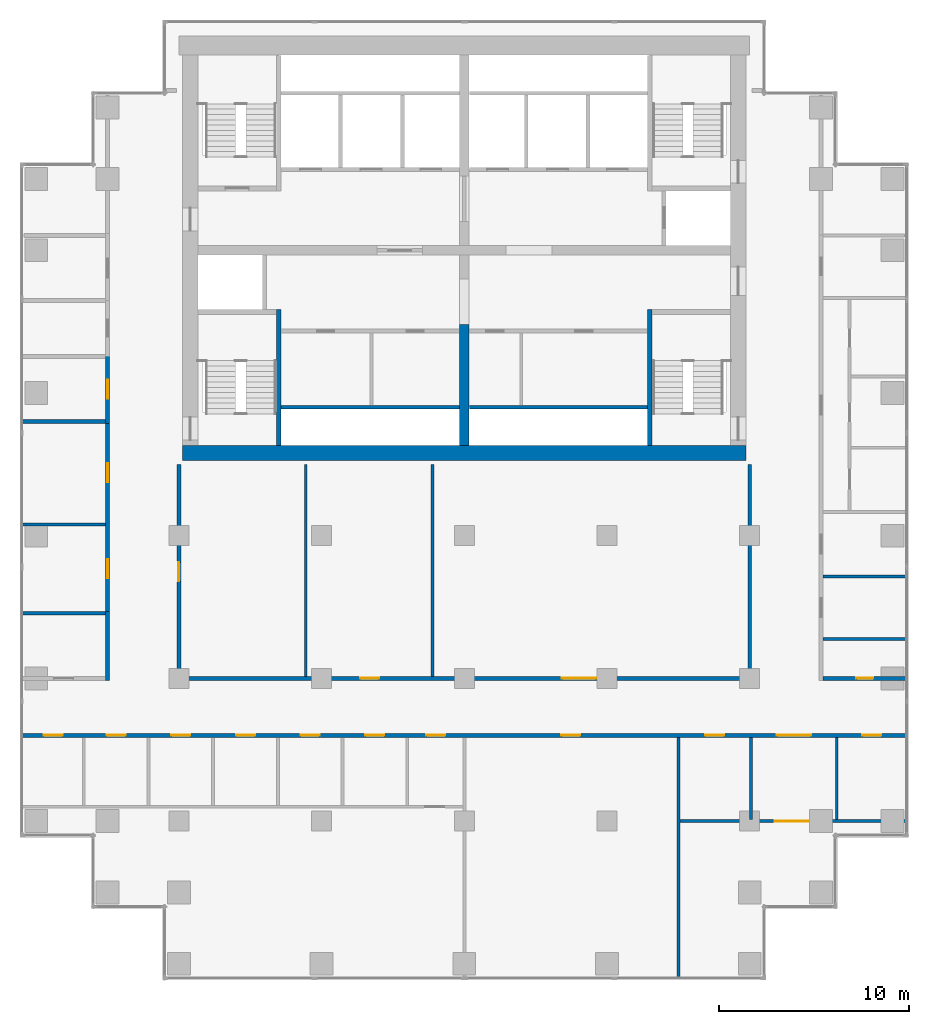
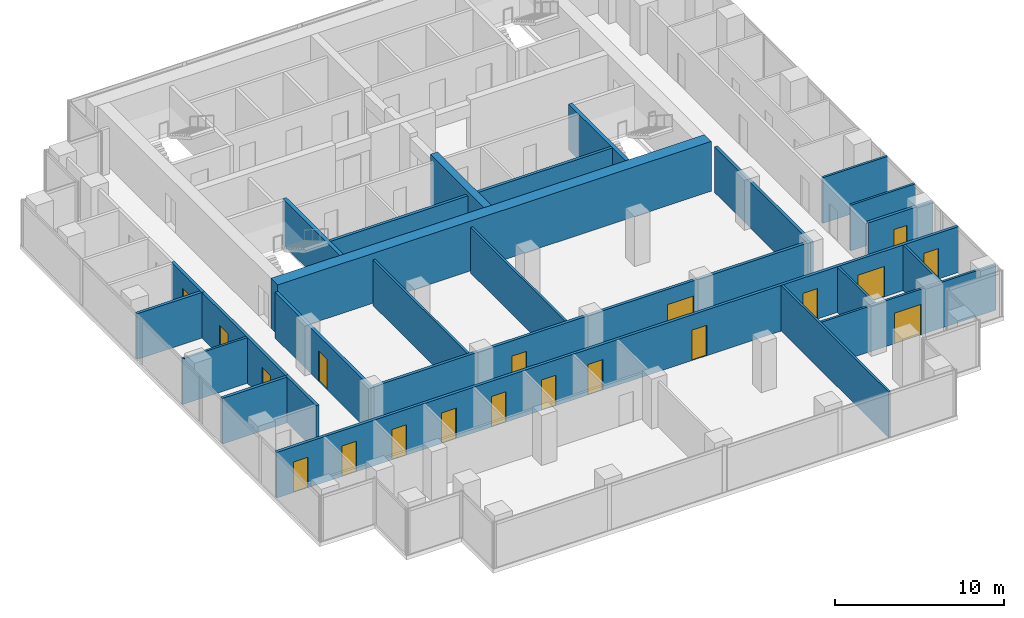
# One storey, part 7 of 11: 25 walls, 19 doors, 19 openings.
"""IFC4 building model written with IfcOpenShell, lengths in metres."""

from ifc_helpers import new_model, si_unit, direction, frame, frame_2d, origin, place, context, subcontext, project, spatial, rectangle, extrude, material, layer, layer_set, type_object, element, fill, save


model = new_model("IFC4")

# Units and contexts
model_context = context("Model", 3, precision=1e-05, world=origin(), true_north=direction((0.0, 1.0)))
body_context = subcontext(model_context, "Body", "Model", "MODEL_VIEW")
ifc_project = project(units=[si_unit("LENGTHUNIT", "METRE"), si_unit("AREAUNIT", "SQUARE_METRE"), si_unit("VOLUMEUNIT", "CUBIC_METRE"), si_unit("PLANEANGLEUNIT", "RADIAN"), si_unit("MASSUNIT", "GRAM", prefix="KILO")], contexts=[model_context])

# Site, building, storey
site_placement = place(None, origin())
site = spatial("IfcSite", under=ifc_project, at=site_placement, CompositionType="ELEMENT")
building_placement = place(site_placement, origin())
building = spatial("IfcBuilding", under=site, at=building_placement, Name="Pilkhan Gate Tower", CompositionType="ELEMENT")
storey_placement = place(building_placement, frame((0.0, 0.0, 151.300048828125)))
storey = spatial("IfcBuildingStorey", under=building, at=storey_placement, Name="L38", CompositionType="ELEMENT", Elevation=151.300048828125)

# Wall
ifc_material_1 = material(Name="Concrete C60/75", Category="concrete")
ifc_layer_1 = layer(ifc_material_1, 0.800048828125)
ifc_layer_set_1 = layer_set([ifc_layer_1], Name="Core wall CW800 C60/75")
wall_type_1 = type_object("IfcWallType", Name="Core wall CW800 C60/75", PredefinedType="SHEAR", material=ifc_layer_set_1)
wall_1_placement = place(storey_placement, frame((60.199951171875, 71.85009765625, 0.0), z_axis=(0.0, 0.0, 1.0), x_axis=(1.0, 0.0, 0.0)))
element("IfcWall", 1, at=wall_1_placement, inside=storey, type_object=wall_type_1, Name="Core wall S L38", PredefinedType="SHEAR", context=body_context, shape_type="SweptSolid", body=[
    extrude(rectangle(XDim=29.60009765625, YDim=0.800048828125, at=frame_2d((14.800048828125, 0.0))), origin(), (0.0, 0.0, 1.0), 3.599853515625),
])

# Wall, openings, doors
ifc_material_2 = material(Name="Dense blockwork", Category="masonry")
ifc_layer_2 = layer(ifc_material_2, 0.199951171875)
ifc_layer_set_2 = layer_set([ifc_layer_2], Name="Corridor wall FW200")
wall_type_2 = type_object("IfcWallType", Name="Corridor wall FW200", PredefinedType="PARTITIONING", material=ifc_layer_set_2)
wall_2_placement = place(storey_placement, frame((51.735107421875, 57.0, 0.0), z_axis=(0.0, 0.0, 1.0), x_axis=(1.0, 0.0, 0.0)))
wall_2 = element("IfcWall", 2, at=wall_2_placement, inside=storey, type_object=wall_type_2, Name="Partition L38", PredefinedType="PARTITIONING", context=body_context, shape_type="SweptSolid", body=[
    extrude(rectangle(XDim=46.52978515625, YDim=0.199951171875, at=frame_2d((23.264892578125, 0.0))), origin(), (0.0, 0.0, 1.0), 3.300048828125),
])
opening_1_placement = place(wall_2_placement, frame((21.264892578125, 0.0, 0.0)))
opening_1 = element("IfcOpeningElement", 3, at=opening_1_placement, cuts=wall_2, Name="Opening L38-06", PredefinedType="OPENING", context=body_context, shape_type="SweptSolid", body=[
    extrude(rectangle(XDim=1.0, YDim=2.199951171875, at=frame_2d((0.5, 1.10009765625))), frame((0.0, 0.10986328125, 0.0), z_axis=(0.0, -1.0, 0.0), x_axis=(1.0, 0.0, 0.0)), (0.0, 0.0, 1.0), 0.219970703125),
])
opening_2_placement = place(wall_2_placement, frame((35.9150390625, 0.0, 0.0)))
opening_2 = element("IfcOpeningElement", 4, at=opening_2_placement, cuts=wall_2, Name="Opening L38-07", PredefinedType="OPENING", context=body_context, shape_type="SweptSolid", body=[
    extrude(rectangle(XDim=1.0, YDim=2.199951171875, at=frame_2d((0.5, 1.10009765625))), frame((0.0, 0.10986328125, 0.0), z_axis=(0.0, -1.0, 0.0), x_axis=(1.0, 0.0, 0.0)), (0.0, 0.0, 1.0), 0.219970703125),
])
opening_3_placement = place(wall_2_placement, frame((1.14990234375, 0.0, 0.0)))
opening_3 = element("IfcOpeningElement", 5, at=opening_3_placement, cuts=wall_2, Name="Opening L38-19", PredefinedType="OPENING", context=body_context, shape_type="SweptSolid", body=[
    extrude(rectangle(XDim=1.0, YDim=2.199951171875, at=frame_2d((0.5, 1.10009765625))), frame((0.0, 0.10986328125, 0.0), z_axis=(0.0, -1.0, 0.0), x_axis=(1.0, 0.0, 0.0)), (0.0, 0.0, 1.0), 0.219970703125),
])
opening_4_placement = place(wall_2_placement, frame((4.465087890625, 0.0, 0.0)))
opening_4 = element("IfcOpeningElement", 6, at=opening_4_placement, cuts=wall_2, Name="Opening L38-20", PredefinedType="OPENING", context=body_context, shape_type="SweptSolid", body=[
    extrude(rectangle(XDim=1.0, YDim=2.199951171875, at=frame_2d((0.5, 1.10009765625))), frame((0.0, 0.10986328125, 0.0), z_axis=(0.0, -1.0, 0.0), x_axis=(1.0, 0.0, 0.0)), (0.0, 0.0, 1.0), 0.219970703125),
])
opening_5_placement = place(wall_2_placement, frame((7.864990234375, 0.0, 0.0)))
opening_5 = element("IfcOpeningElement", 7, at=opening_5_placement, cuts=wall_2, Name="Opening L38-21", PredefinedType="OPENING", context=body_context, shape_type="SweptSolid", body=[
    extrude(rectangle(XDim=1.0, YDim=2.199951171875, at=frame_2d((0.5, 1.10009765625))), frame((0.0, 0.10986328125, 0.0), z_axis=(0.0, -1.0, 0.0), x_axis=(1.0, 0.0, 0.0)), (0.0, 0.0, 1.0), 0.219970703125),
])
opening_6_placement = place(wall_2_placement, frame((11.264892578125, 0.0, 0.0)))
opening_6 = element("IfcOpeningElement", 8, at=opening_6_placement, cuts=wall_2, Name="Opening L38-22", PredefinedType="OPENING", context=body_context, shape_type="SweptSolid", body=[
    extrude(rectangle(XDim=1.0, YDim=2.199951171875, at=frame_2d((0.5, 1.10009765625))), frame((0.0, 0.10986328125, 0.0), z_axis=(0.0, -1.0, 0.0), x_axis=(1.0, 0.0, 0.0)), (0.0, 0.0, 1.0), 0.219970703125),
])
opening_7_placement = place(wall_2_placement, frame((14.6650390625, 0.0, 0.0)))
opening_7 = element("IfcOpeningElement", 9, at=opening_7_placement, cuts=wall_2, Name="Opening L38-23", PredefinedType="OPENING", context=body_context, shape_type="SweptSolid", body=[
    extrude(rectangle(XDim=1.0, YDim=2.199951171875, at=frame_2d((0.5, 1.10009765625))), frame((0.0, 0.10986328125, 0.0), z_axis=(0.0, -1.0, 0.0), x_axis=(1.0, 0.0, 0.0)), (0.0, 0.0, 1.0), 0.219970703125),
])
opening_8_placement = place(wall_2_placement, frame((18.06494140625, 0.0, 0.0)))
opening_8 = element("IfcOpeningElement", 10, at=opening_8_placement, cuts=wall_2, Name="Opening L38-24", PredefinedType="OPENING", context=body_context, shape_type="SweptSolid", body=[
    extrude(rectangle(XDim=1.0, YDim=2.199951171875, at=frame_2d((0.5, 1.10009765625))), frame((0.0, 0.10986328125, 0.0), z_axis=(0.0, -1.0, 0.0), x_axis=(1.0, 0.0, 0.0)), (0.0, 0.0, 1.0), 0.219970703125),
])
opening_9_placement = place(wall_2_placement, frame((28.364990234375, 0.0, 0.0)))
opening_9 = element("IfcOpeningElement", 11, at=opening_9_placement, cuts=wall_2, Name="Opening L38-26", PredefinedType="OPENING", context=body_context, shape_type="SweptSolid", body=[
    extrude(rectangle(XDim=1.0, YDim=2.199951171875, at=frame_2d((0.5, 1.10009765625))), frame((0.0, 0.10986328125, 0.0), z_axis=(0.0, -1.0, 0.0), x_axis=(1.0, 0.0, 0.0)), (0.0, 0.0, 1.0), 0.219970703125),
])
opening_10_placement = place(wall_2_placement, frame((39.68994140625, 0.0, 0.0)))
opening_10 = element("IfcOpeningElement", 12, at=opening_10_placement, cuts=wall_2, Name="Opening L38-27", PredefinedType="OPENING", context=body_context, shape_type="SweptSolid", body=[
    extrude(rectangle(XDim=1.800048828125, YDim=2.199951171875, at=frame_2d((0.89990234375, 1.10009765625))), frame((0.0, 0.10986328125, 0.0), z_axis=(0.0, -1.0, 0.0), x_axis=(1.0, 0.0, 0.0)), (0.0, 0.0, 1.0), 0.219970703125),
])
opening_11_placement = place(wall_2_placement, frame((44.18994140625, 0.0, 0.0)))
opening_11 = element("IfcOpeningElement", 13, at=opening_11_placement, cuts=wall_2, Name="Opening L38-28", PredefinedType="OPENING", context=body_context, shape_type="SweptSolid", body=[
    extrude(rectangle(XDim=1.0, YDim=2.199951171875, at=frame_2d((0.5, 1.10009765625))), frame((0.0, 0.10986328125, 0.0), z_axis=(0.0, -1.0, 0.0), x_axis=(1.0, 0.0, 0.0)), (0.0, 0.0, 1.0), 0.219970703125),
])
ifc_material_3 = material(Name="Timber glazed double door, 30 minute fire resisting", Category="wood")
door_type_1 = type_object("IfcDoorType", Name="Double door D04 1800x2200", OperationType="DOUBLE_DOOR_SINGLE_SWING", PredefinedType="DOOR", material=ifc_material_3)
door_1_placement = place(opening_10_placement, origin())
door_1 = element("IfcDoor", 14, at=door_1_placement, inside=storey, type_object=door_type_1, Name="Double door", OperationType="DOUBLE_DOOR_SINGLE_SWING", OverallHeight=2.199951171875, OverallWidth=1.800048828125, PredefinedType="DOOR", context=body_context, shape_type="SweptSolid", body=[
    extrude(rectangle(XDim=1.800048828125, YDim=2.199951171875, at=frame_2d((0.89990234375, 1.10009765625))), frame((0.0, 0.02490234375, 0.0), z_axis=(0.0, -1.0, 0.0), x_axis=(1.0, 0.0, 0.0)), (0.0, 0.0, 1.0), 0.050048828125),
])
fill(opening_10, door_1)
ifc_material_4 = material(Name="Timber flush door, 30 minute fire resisting", Category="wood")
door_type_2 = type_object("IfcDoorType", Name="Room door D03 1000x2200", OperationType="SINGLE_SWING_LEFT", PredefinedType="DOOR", material=ifc_material_4)
door_2_placement = place(opening_1_placement, origin())
door_2 = element("IfcDoor", 15, at=door_2_placement, inside=storey, type_object=door_type_2, Name="Room door", OperationType="SINGLE_SWING_RIGHT", OverallHeight=2.199951171875, OverallWidth=1.0, PredefinedType="DOOR", context=body_context, shape_type="SweptSolid", body=[
    extrude(rectangle(XDim=1.0, YDim=2.199951171875, at=frame_2d((0.5, 1.10009765625))), frame((0.0, 0.02490234375, 0.0), z_axis=(0.0, -1.0, 0.0), x_axis=(1.0, 0.0, 0.0)), (0.0, 0.0, 1.0), 0.050048828125),
])
fill(opening_1, door_2)
door_3_placement = place(opening_2_placement, origin())
door_3 = element("IfcDoor", 16, at=door_3_placement, inside=storey, type_object=door_type_2, Name="Room door", OperationType="SINGLE_SWING_RIGHT", OverallHeight=2.199951171875, OverallWidth=1.0, PredefinedType="DOOR", context=body_context, shape_type="SweptSolid", body=[
    extrude(rectangle(XDim=1.0, YDim=2.199951171875, at=frame_2d((0.5, 1.10009765625))), frame((0.0, 0.02490234375, 0.0), z_axis=(0.0, -1.0, 0.0), x_axis=(1.0, 0.0, 0.0)), (0.0, 0.0, 1.0), 0.050048828125),
])
fill(opening_2, door_3)
door_4_placement = place(opening_3_placement, origin())
door_4 = element("IfcDoor", 17, at=door_4_placement, inside=storey, type_object=door_type_2, Name="Room door", OperationType="SINGLE_SWING_LEFT", OverallHeight=2.199951171875, OverallWidth=1.0, PredefinedType="DOOR", context=body_context, shape_type="SweptSolid", body=[
    extrude(rectangle(XDim=1.0, YDim=2.199951171875, at=frame_2d((0.5, 1.10009765625))), frame((0.0, 0.02490234375, 0.0), z_axis=(0.0, -1.0, 0.0), x_axis=(1.0, 0.0, 0.0)), (0.0, 0.0, 1.0), 0.050048828125),
])
fill(opening_3, door_4)
door_5_placement = place(opening_4_placement, origin())
door_5 = element("IfcDoor", 18, at=door_5_placement, inside=storey, type_object=door_type_2, Name="Room door", OperationType="SINGLE_SWING_LEFT", OverallHeight=2.199951171875, OverallWidth=1.0, PredefinedType="DOOR", context=body_context, shape_type="SweptSolid", body=[
    extrude(rectangle(XDim=1.0, YDim=2.199951171875, at=frame_2d((0.5, 1.10009765625))), frame((0.0, 0.02490234375, 0.0), z_axis=(0.0, -1.0, 0.0), x_axis=(1.0, 0.0, 0.0)), (0.0, 0.0, 1.0), 0.050048828125),
])
fill(opening_4, door_5)
door_6_placement = place(opening_5_placement, origin())
door_6 = element("IfcDoor", 19, at=door_6_placement, inside=storey, type_object=door_type_2, Name="Room door", OperationType="SINGLE_SWING_LEFT", OverallHeight=2.199951171875, OverallWidth=1.0, PredefinedType="DOOR", context=body_context, shape_type="SweptSolid", body=[
    extrude(rectangle(XDim=1.0, YDim=2.199951171875, at=frame_2d((0.5, 1.10009765625))), frame((0.0, 0.02490234375, 0.0), z_axis=(0.0, -1.0, 0.0), x_axis=(1.0, 0.0, 0.0)), (0.0, 0.0, 1.0), 0.050048828125),
])
fill(opening_5, door_6)
door_7_placement = place(opening_6_placement, origin())
door_7 = element("IfcDoor", 20, at=door_7_placement, inside=storey, type_object=door_type_2, Name="Room door", OperationType="SINGLE_SWING_LEFT", OverallHeight=2.199951171875, OverallWidth=1.0, PredefinedType="DOOR", context=body_context, shape_type="SweptSolid", body=[
    extrude(rectangle(XDim=1.0, YDim=2.199951171875, at=frame_2d((0.5, 1.10009765625))), frame((0.0, 0.02490234375, 0.0), z_axis=(0.0, -1.0, 0.0), x_axis=(1.0, 0.0, 0.0)), (0.0, 0.0, 1.0), 0.050048828125),
])
fill(opening_6, door_7)
door_8_placement = place(opening_7_placement, origin())
door_8 = element("IfcDoor", 21, at=door_8_placement, inside=storey, type_object=door_type_2, Name="Room door", OperationType="SINGLE_SWING_RIGHT", OverallHeight=2.199951171875, OverallWidth=1.0, PredefinedType="DOOR", context=body_context, shape_type="SweptSolid", body=[
    extrude(rectangle(XDim=1.0, YDim=2.199951171875, at=frame_2d((0.5, 1.10009765625))), frame((0.0, 0.02490234375, 0.0), z_axis=(0.0, -1.0, 0.0), x_axis=(1.0, 0.0, 0.0)), (0.0, 0.0, 1.0), 0.050048828125),
])
fill(opening_7, door_8)
door_9_placement = place(opening_8_placement, origin())
door_9 = element("IfcDoor", 22, at=door_9_placement, inside=storey, type_object=door_type_2, Name="Room door", OperationType="SINGLE_SWING_RIGHT", OverallHeight=2.199951171875, OverallWidth=1.0, PredefinedType="DOOR", context=body_context, shape_type="SweptSolid", body=[
    extrude(rectangle(XDim=1.0, YDim=2.199951171875, at=frame_2d((0.5, 1.10009765625))), frame((0.0, 0.02490234375, 0.0), z_axis=(0.0, -1.0, 0.0), x_axis=(1.0, 0.0, 0.0)), (0.0, 0.0, 1.0), 0.050048828125),
])
fill(opening_8, door_9)
door_10_placement = place(opening_9_placement, origin())
door_10 = element("IfcDoor", 23, at=door_10_placement, inside=storey, type_object=door_type_2, Name="Room door", OperationType="SINGLE_SWING_RIGHT", OverallHeight=2.199951171875, OverallWidth=1.0, PredefinedType="DOOR", context=body_context, shape_type="SweptSolid", body=[
    extrude(rectangle(XDim=1.0, YDim=2.199951171875, at=frame_2d((0.5, 1.10009765625))), frame((0.0, 0.02490234375, 0.0), z_axis=(0.0, -1.0, 0.0), x_axis=(1.0, 0.0, 0.0)), (0.0, 0.0, 1.0), 0.050048828125),
])
fill(opening_9, door_10)
door_11_placement = place(opening_11_placement, origin())
door_11 = element("IfcDoor", 24, at=door_11_placement, inside=storey, type_object=door_type_2, Name="Room door", OperationType="SINGLE_SWING_LEFT", OverallHeight=2.199951171875, OverallWidth=1.0, PredefinedType="DOOR", context=body_context, shape_type="SweptSolid", body=[
    extrude(rectangle(XDim=1.0, YDim=2.199951171875, at=frame_2d((0.5, 1.10009765625))), frame((0.0, 0.02490234375, 0.0), z_axis=(0.0, -1.0, 0.0), x_axis=(1.0, 0.0, 0.0)), (0.0, 0.0, 1.0), 0.050048828125),
])
fill(opening_11, door_11)

wall_3_placement = place(storey_placement, frame((60.10009765625, 60.0, 0.0), z_axis=(0.0, 0.0, 1.0), x_axis=(1.0, 0.0, 0.0)))
wall_3 = element("IfcWall", 25, at=wall_3_placement, inside=storey, type_object=wall_type_2, Name="Partition L38", PredefinedType="PARTITIONING", context=body_context, shape_type="SweptSolid", body=[
    extrude(rectangle(XDim=29.7998046875, YDim=0.199951171875, at=frame_2d((14.89990234375, 0.0))), origin(), (0.0, 0.0, 1.0), 3.300048828125),
])
opening_12_placement = place(wall_3_placement, frame((9.4169921875, 0.0, 0.0)))
opening_12 = element("IfcOpeningElement", 26, at=opening_12_placement, cuts=wall_3, Name="Opening L38-40", PredefinedType="OPENING", context=body_context, shape_type="SweptSolid", body=[
    extrude(rectangle(XDim=1.0, YDim=2.199951171875, at=frame_2d((0.5, 1.10009765625))), frame((0.0, 0.10986328125, 0.0), z_axis=(0.0, -1.0, 0.0), x_axis=(1.0, 0.0, 0.0)), (0.0, 0.0, 1.0), 0.219970703125),
])
opening_13_placement = place(wall_3_placement, frame((20.032958984375, 0.0, 0.0)))
opening_13 = element("IfcOpeningElement", 27, at=opening_13_placement, cuts=wall_3, Name="Opening L38-41", PredefinedType="OPENING", context=body_context, shape_type="SweptSolid", body=[
    extrude(rectangle(XDim=1.800048828125, YDim=2.199951171875, at=frame_2d((0.89990234375, 1.10009765625))), frame((0.0, 0.10986328125, 0.0), z_axis=(0.0, -1.0, 0.0), x_axis=(1.0, 0.0, 0.0)), (0.0, 0.0, 1.0), 0.219970703125),
])
door_12_placement = place(opening_13_placement, origin())
door_12 = element("IfcDoor", 28, at=door_12_placement, inside=storey, type_object=door_type_1, Name="Double door", OperationType="DOUBLE_DOOR_SINGLE_SWING", OverallHeight=2.199951171875, OverallWidth=1.800048828125, PredefinedType="DOOR", context=body_context, shape_type="SweptSolid", body=[
    extrude(rectangle(XDim=1.800048828125, YDim=2.199951171875, at=frame_2d((0.89990234375, 1.10009765625))), frame((0.0, 0.02490234375, 0.0), z_axis=(0.0, -1.0, 0.0), x_axis=(1.0, 0.0, 0.0)), (0.0, 0.0, 1.0), 0.050048828125),
])
fill(opening_13, door_12)
door_13_placement = place(opening_12_placement, origin())
door_13 = element("IfcDoor", 29, at=door_13_placement, inside=storey, type_object=door_type_2, Name="Room door", OperationType="SINGLE_SWING_LEFT", OverallHeight=2.199951171875, OverallWidth=1.0, PredefinedType="DOOR", context=body_context, shape_type="SweptSolid", body=[
    extrude(rectangle(XDim=1.0, YDim=2.199951171875, at=frame_2d((0.5, 1.10009765625))), frame((0.0, 0.02490234375, 0.0), z_axis=(0.0, -1.0, 0.0), x_axis=(1.0, 0.0, 0.0)), (0.0, 0.0, 1.0), 0.050048828125),
])
fill(opening_12, door_13)

# Wall, opening, door
wall_4_placement = place(storey_placement, frame((93.85009765625, 60.0, 0.0), z_axis=(0.0, 0.0, 1.0), x_axis=(1.0, 0.0, 0.0)))
wall_4 = element("IfcWall", 30, at=wall_4_placement, inside=storey, type_object=wall_type_2, Name="Partition L38", PredefinedType="PARTITIONING", context=body_context, shape_type="SweptSolid", body=[
    extrude(rectangle(XDim=4.414794921875, YDim=0.199951171875, at=frame_2d((2.20751953125, 0.0))), origin(), (0.0, 0.0, 1.0), 3.300048828125),
])
opening_14_placement = place(wall_4_placement, frame((1.75, 0.0, 0.0)))
opening_14 = element("IfcOpeningElement", 31, at=opening_14_placement, cuts=wall_4, Name="Opening L38-36", PredefinedType="OPENING", context=body_context, shape_type="SweptSolid", body=[
    extrude(rectangle(XDim=0.89990234375, YDim=2.199951171875, at=frame_2d((0.449951171875, 1.10009765625))), frame((0.0, 0.10986328125, 0.0), z_axis=(0.0, -1.0, 0.0), x_axis=(1.0, 0.0, 0.0)), (0.0, 0.0, 1.0), 0.219970703125),
])
ifc_material_5 = material(Name="Timber flush door, 60 minute fire resisting, self-closing", Category="wood")
door_type_3 = type_object("IfcDoorType", Name="Store door D05 900x2200", OperationType="SINGLE_SWING_LEFT", PredefinedType="DOOR", material=ifc_material_5)
door_14_placement = place(opening_14_placement, origin())
door_14 = element("IfcDoor", 32, at=door_14_placement, inside=storey, type_object=door_type_3, Name="Store door", OperationType="SINGLE_SWING_LEFT", OverallHeight=2.199951171875, OverallWidth=0.89990234375, PredefinedType="DOOR", context=body_context, shape_type="SweptSolid", body=[
    extrude(rectangle(XDim=0.89990234375, YDim=2.199951171875, at=frame_2d((0.449951171875, 1.10009765625))), frame((0.0, 0.02490234375, 0.0), z_axis=(0.0, -1.0, 0.0), x_axis=(1.0, 0.0, 0.0)), (0.0, 0.0, 1.0), 0.050048828125),
])
fill(opening_14, door_14)

# Wall, openings, doors
wall_5_placement = place(storey_placement, frame((56.25, 63.41796875, 0.0), z_axis=(0.0, 0.0, 1.0), x_axis=(0.0, 1.0, 0.0)))
wall_5 = element("IfcWall", 33, at=wall_5_placement, inside=storey, type_object=wall_type_2, Name="Partition L38", PredefinedType="PARTITIONING", context=body_context, shape_type="SweptSolid", body=[
    extrude(rectangle(XDim=10.074951171875, YDim=0.199951171875, at=frame_2d((5.03759765625, 0.0))), origin(), (0.0, 0.0, 1.0), 3.300048828125),
])
opening_15_placement = place(wall_5_placement, frame((1.85009765625, 0.0, 0.0)))
opening_15 = element("IfcOpeningElement", 34, at=opening_15_placement, cuts=wall_5, Name="Opening L38-30", PredefinedType="OPENING", context=body_context, shape_type="SweptSolid", body=[
    extrude(rectangle(XDim=1.0, YDim=2.199951171875, at=frame_2d((0.5, 1.10009765625))), frame((0.0, 0.10986328125, 0.0), z_axis=(0.0, -1.0, 0.0), x_axis=(1.0, 0.0, 0.0)), (0.0, 0.0, 1.0), 0.219970703125),
])
opening_16_placement = place(wall_5_placement, frame((6.8779296875, 0.0, 0.0)))
opening_16 = element("IfcOpeningElement", 35, at=opening_16_placement, cuts=wall_5, Name="Opening L38-31", PredefinedType="OPENING", context=body_context, shape_type="SweptSolid", body=[
    extrude(rectangle(XDim=1.0, YDim=2.199951171875, at=frame_2d((0.5, 1.10009765625))), frame((0.0, 0.10986328125, 0.0), z_axis=(0.0, -1.0, 0.0), x_axis=(1.0, 0.0, 0.0)), (0.0, 0.0, 1.0), 0.219970703125),
])
door_15_placement = place(opening_15_placement, origin())
door_15 = element("IfcDoor", 36, at=door_15_placement, inside=storey, type_object=door_type_2, Name="Room door", OperationType="SINGLE_SWING_RIGHT", OverallHeight=2.199951171875, OverallWidth=1.0, PredefinedType="DOOR", context=body_context, shape_type="SweptSolid", body=[
    extrude(rectangle(XDim=1.0, YDim=2.199951171875, at=frame_2d((0.5, 1.10009765625))), frame((0.0, 0.02490234375, 0.0), z_axis=(0.0, -1.0, 0.0), x_axis=(1.0, 0.0, 0.0)), (0.0, 0.0, 1.0), 0.050048828125),
])
fill(opening_15, door_15)
door_16_placement = place(opening_16_placement, origin())
door_16 = element("IfcDoor", 37, at=door_16_placement, inside=storey, type_object=door_type_2, Name="Room door", OperationType="SINGLE_SWING_LEFT", OverallHeight=2.199951171875, OverallWidth=1.0, PredefinedType="DOOR", context=body_context, shape_type="SweptSolid", body=[
    extrude(rectangle(XDim=1.0, YDim=2.199951171875, at=frame_2d((0.5, 1.10009765625))), frame((0.0, 0.02490234375, 0.0), z_axis=(0.0, -1.0, 0.0), x_axis=(1.0, 0.0, 0.0)), (0.0, 0.0, 1.0), 0.050048828125),
])
fill(opening_16, door_16)

# Wall, opening, door
wall_6_placement = place(storey_placement, frame((60.0, 59.89990234375, 0.0), z_axis=(0.0, 0.0, 1.0), x_axis=(0.0, 1.0, 0.0)))
wall_6 = element("IfcWall", 38, at=wall_6_placement, inside=storey, type_object=wall_type_2, Name="Partition L38", PredefinedType="PARTITIONING", context=body_context, shape_type="SweptSolid", body=[
    extrude(rectangle(XDim=11.35009765625, YDim=0.199951171875, at=frame_2d((5.675048828125, 0.0))), origin(), (0.0, 0.0, 1.0), 3.300048828125),
])
opening_17_placement = place(wall_6_placement, frame((5.199951171875, 0.0, 0.0)))
opening_17 = element("IfcOpeningElement", 39, at=opening_17_placement, cuts=wall_6, Name="Opening L38-39", PredefinedType="OPENING", context=body_context, shape_type="SweptSolid", body=[
    extrude(rectangle(XDim=1.0, YDim=2.199951171875, at=frame_2d((0.5, 1.10009765625))), frame((0.0, 0.10986328125, 0.0), z_axis=(0.0, -1.0, 0.0), x_axis=(1.0, 0.0, 0.0)), (0.0, 0.0, 1.0), 0.219970703125),
])
door_17_placement = place(opening_17_placement, origin())
door_17 = element("IfcDoor", 40, at=door_17_placement, inside=storey, type_object=door_type_2, Name="Room door", OperationType="SINGLE_SWING_LEFT", OverallHeight=2.199951171875, OverallWidth=1.0, PredefinedType="DOOR", context=body_context, shape_type="SweptSolid", body=[
    extrude(rectangle(XDim=1.0, YDim=2.199951171875, at=frame_2d((0.5, 1.10009765625))), frame((0.0, 0.02490234375, 0.0), z_axis=(0.0, -1.0, 0.0), x_axis=(1.0, 0.0, 0.0)), (0.0, 0.0, 1.0), 0.050048828125),
])
fill(opening_17, door_17)

# Walls
wall_7_placement = place(storey_placement, frame((90.0, 59.89990234375, 0.0), z_axis=(0.0, 0.0, 1.0), x_axis=(0.0, 1.0, 0.0)))
element("IfcWall", 41, at=wall_7_placement, inside=storey, type_object=wall_type_2, Name="Partition L38", PredefinedType="PARTITIONING", context=body_context, shape_type="SweptSolid", body=[
    extrude(rectangle(XDim=11.35009765625, YDim=0.199951171875, at=frame_2d((5.675048828125, 0.0))), origin(), (0.0, 0.0, 1.0), 3.300048828125),
])
ifc_layer_3 = layer(ifc_material_2, 0.199951171875)
ifc_layer_set_3 = layer_set([ifc_layer_3], Name="Lobby wall LW200")
wall_type_3 = type_object("IfcWallType", Name="Lobby wall LW200", PredefinedType="PARTITIONING", material=ifc_layer_set_3)
for number, where, z_axis, x_axis, name in (
    (42, (51.735107421875, 63.41796875, 0.0), (0.0, 0.0, 1.0), (1.0, 0.0, 0.0), "Partition L38"),
    (43, (51.735107421875, 73.492919921875, 0.0), (0.0, 0.0, 1.0), (1.0, 0.0, 0.0), "Partition L38"),
):
    element("IfcWall", number, at=place(storey_placement, frame(where, z_axis=z_axis, x_axis=x_axis)), inside=storey, type_object=wall_type_3, Name=name, PredefinedType="PARTITIONING", context=body_context, shape_type="SweptSolid", body=[
        extrude(rectangle(XDim=4.414794921875, YDim=0.199951171875, at=frame_2d((2.20751953125, 0.0))), origin(), (0.0, 0.0, 1.0), 3.300048828125),
    ])
for number, where, z_axis, x_axis, name in (
    (44, (65.375, 74.25, 0.0), (0.0, 0.0, 1.0), (1.0, 0.0, 0.0), "Partition L38"),
    (45, (75.260009765625, 74.25, 0.0), (0.0, 0.0, 1.0), (1.0, 0.0, 0.0), "Partition L38"),
):
    element("IfcWall", number, at=place(storey_placement, frame(where, z_axis=z_axis, x_axis=x_axis)), inside=storey, type_object=wall_type_3, Name=name, PredefinedType="PARTITIONING", context=body_context, shape_type="SweptSolid", body=[
        extrude(rectangle(XDim=9.364990234375, YDim=0.199951171875, at=frame_2d((4.6826171875, 0.0))), origin(), (0.0, 0.0, 1.0), 3.300048828125),
    ])
wall_8_placement = place(storey_placement, frame((56.25, 59.89990234375, 0.0), z_axis=(0.0, 0.0, 1.0), x_axis=(0.0, 1.0, 0.0)))
element("IfcWall", 46, at=wall_8_placement, inside=storey, type_object=wall_type_3, Name="Partition L38", PredefinedType="PARTITIONING", context=body_context, shape_type="SweptSolid", body=[
    extrude(rectangle(XDim=3.6181640625, YDim=0.199951171875, at=frame_2d((1.80908203125, 0.0))), origin(), (0.0, 0.0, 1.0), 3.300048828125),
])

# Wall, opening, door
wall_9_placement = place(storey_placement, frame((56.25, 73.39306640625, 0.0), z_axis=(0.0, 0.0, 1.0), x_axis=(0.0, 1.0, 0.0)))
wall_9 = element("IfcWall", 47, at=wall_9_placement, inside=storey, type_object=wall_type_3, Name="Partition L38", PredefinedType="PARTITIONING", context=body_context, shape_type="SweptSolid", body=[
    extrude(rectangle(XDim=3.617919921875, YDim=0.199951171875, at=frame_2d((1.80908203125, 0.0))), origin(), (0.0, 0.0, 1.0), 3.300048828125),
])
opening_18_placement = place(wall_9_placement, frame((1.300048828125, 0.0, 0.0)))
opening_18 = element("IfcOpeningElement", 48, at=opening_18_placement, cuts=wall_9, Name="Opening L38-09", PredefinedType="OPENING", context=body_context, shape_type="SweptSolid", body=[
    extrude(rectangle(XDim=1.0, YDim=2.199951171875, at=frame_2d((0.5, 1.10009765625))), frame((0.0, 0.10986328125, 0.0), z_axis=(0.0, -1.0, 0.0), x_axis=(1.0, 0.0, 0.0)), (0.0, 0.0, 1.0), 0.219970703125),
])
door_18_placement = place(opening_18_placement, origin())
door_18 = element("IfcDoor", 49, at=door_18_placement, inside=storey, type_object=door_type_2, Name="Room door", OperationType="SINGLE_SWING_RIGHT", OverallHeight=2.199951171875, OverallWidth=1.0, PredefinedType="DOOR", context=body_context, shape_type="SweptSolid", body=[
    extrude(rectangle(XDim=1.0, YDim=2.199951171875, at=frame_2d((0.5, 1.10009765625))), frame((0.0, 0.02490234375, 0.0), z_axis=(0.0, -1.0, 0.0), x_axis=(1.0, 0.0, 0.0)), (0.0, 0.0, 1.0), 0.050048828125),
])
fill(opening_18, door_18)

ifc_material_6 = material(Name="Blockwork partition, plastered both sides", Category="masonry")
ifc_layer_4 = layer(ifc_material_6, 0.14990234375)
ifc_layer_set_4 = layer_set([ifc_layer_4], Name="Partition PW150")
wall_type_4 = type_object("IfcWallType", Name="Partition PW150", PredefinedType="PARTITIONING", material=ifc_layer_set_4)
wall_10_placement = place(storey_placement, frame((86.324951171875, 52.5, 0.0), z_axis=(0.0, 0.0, 1.0), x_axis=(1.0, 0.0, 0.0)))
wall_10 = element("IfcWall", 50, at=wall_10_placement, inside=storey, type_object=wall_type_4, Name="Partition L38", PredefinedType="PARTITIONING", context=body_context, shape_type="SweptSolid", body=[
    extrude(rectangle(XDim=11.93994140625, YDim=0.14990234375, at=frame_2d((5.969970703125, 0.0))), origin(), (0.0, 0.0, 1.0), 3.300048828125),
])
opening_19_placement = place(wall_10_placement, frame((5.0, 0.0, 0.0)))
opening_19 = element("IfcOpeningElement", 51, at=opening_19_placement, cuts=wall_10, Name="Opening L38-29", PredefinedType="OPENING", context=body_context, shape_type="SweptSolid", body=[
    extrude(rectangle(XDim=1.800048828125, YDim=2.199951171875, at=frame_2d((0.89990234375, 1.10009765625))), frame((0.0, 0.0849609375, 0.0), z_axis=(0.0, -1.0, 0.0), x_axis=(1.0, 0.0, 0.0)), (0.0, 0.0, 1.0), 0.169921875),
])
door_19_placement = place(opening_19_placement, origin())
door_19 = element("IfcDoor", 52, at=door_19_placement, inside=storey, type_object=door_type_1, Name="Double door", OperationType="DOUBLE_DOOR_SINGLE_SWING", OverallHeight=2.199951171875, OverallWidth=1.800048828125, PredefinedType="DOOR", context=body_context, shape_type="SweptSolid", body=[
    extrude(rectangle(XDim=1.800048828125, YDim=2.199951171875, at=frame_2d((0.89990234375, 1.10009765625))), frame((0.0, 0.02490234375, 0.0), z_axis=(0.0, -1.0, 0.0), x_axis=(1.0, 0.0, 0.0)), (0.0, 0.0, 1.0), 0.050048828125),
])
fill(opening_19, door_19)

# Walls
for number, where, z_axis, x_axis, name in (
    (53, (93.85009765625, 62.068115234375, 0.0), (0.0, 0.0, 1.0), (1.0, 0.0, 0.0), "Partition L38"),
    (54, (93.85009765625, 65.345947265625, 0.0), (0.0, 0.0, 1.0), (1.0, 0.0, 0.0), "Partition L38"),
    (55, (51.735107421875, 68.095947265625, 0.0), (0.0, 0.0, 1.0), (1.0, 0.0, 0.0), "Partition L38"),
):
    element("IfcWall", number, at=place(storey_placement, frame(where, z_axis=z_axis, x_axis=x_axis)), inside=storey, type_object=wall_type_4, Name=name, PredefinedType="PARTITIONING", context=body_context, shape_type="SweptSolid", body=[
        extrude(rectangle(XDim=4.414794921875, YDim=0.14990234375, at=frame_2d((2.20751953125, 0.0))), origin(), (0.0, 0.0, 1.0), 3.300048828125),
    ])
for number, where, z_axis, x_axis, name in (
    (56, (66.6669921875, 60.10009765625, 0.0), (0.0, 0.0, 1.0), (0.0, 1.0, 0.0), "Partition L38"),
    (57, (73.3330078125, 60.10009765625, 0.0), (0.0, 0.0, 1.0), (0.0, 1.0, 0.0), "Partition L38"),
):
    element("IfcWall", number, at=place(storey_placement, frame(where, z_axis=z_axis, x_axis=x_axis)), inside=storey, type_object=wall_type_4, Name=name, PredefinedType="PARTITIONING", context=body_context, shape_type="SweptSolid", body=[
        extrude(rectangle(XDim=11.14990234375, YDim=0.14990234375, at=frame_2d((5.574951171875, 0.0))), origin(), (0.0, 0.0, 1.0), 3.300048828125),
    ])
wall_11_placement = place(storey_placement, frame((86.25, 44.235107421875, 0.0), z_axis=(0.0, 0.0, 1.0), x_axis=(0.0, 1.0, 0.0)))
element("IfcWall", 58, at=wall_11_placement, inside=storey, type_object=wall_type_4, Name="Partition L38", PredefinedType="PARTITIONING", context=body_context, shape_type="SweptSolid", body=[
    extrude(rectangle(XDim=12.664794921875, YDim=0.14990234375, at=frame_2d((6.33251953125, 0.0))), origin(), (0.0, 0.0, 1.0), 3.300048828125),
])
for number, where, z_axis, x_axis, name in (
    (59, (90.074951171875, 52.574951171875, 0.0), (0.0, 0.0, 1.0), (0.0, 1.0, 0.0), "Partition L38"),
    (60, (94.574951171875, 52.574951171875, 0.0), (0.0, 0.0, 1.0), (0.0, 1.0, 0.0), "Partition L38"),
):
    element("IfcWall", number, at=place(storey_placement, frame(where, z_axis=z_axis, x_axis=x_axis)), inside=storey, type_object=wall_type_4, Name=name, PredefinedType="PARTITIONING", context=body_context, shape_type="SweptSolid", body=[
        extrude(rectangle(XDim=4.324951171875, YDim=0.14990234375, at=frame_2d((2.16259765625, 0.0))), origin(), (0.0, 0.0, 1.0), 3.300048828125),
    ])
ifc_layer_5 = layer(ifc_material_1, 0.5)
ifc_layer_set_5 = layer_set([ifc_layer_5], Name="Spine wall SW500 C60/75")
wall_type_5 = type_object("IfcWallType", Name="Spine wall SW500 C60/75", PredefinedType="SHEAR", material=ifc_layer_set_5)
wall_12_placement = place(storey_placement, frame((75.0, 72.25, 0.0), z_axis=(0.0, 0.0, 1.0), x_axis=(0.0, 1.0, 0.0)))
element("IfcWall", 61, at=wall_12_placement, inside=storey, type_object=wall_type_5, Name="Spine wall SP-NS-S1 L38", PredefinedType="SHEAR", context=body_context, shape_type="SweptSolid", body=[
    extrude(rectangle(XDim=6.35009765625, YDim=0.5, at=frame_2d((3.175048828125, 0.0))), origin(), (0.0, 0.0, 1.0), 3.599853515625),
])
ifc_material_7 = material(Name="Reinforced blockwork, 120 minute fire resisting", Category="masonry")
ifc_layer_6 = layer(ifc_material_7, 0.25)
ifc_layer_set_6 = layer_set([ifc_layer_6], Name="Stair enclosure wall SE250")
wall_type_6 = type_object("IfcWallType", Name="Stair enclosure wall SE250", PredefinedType="PARTITIONING", material=ifc_layer_set_6)
for number, where, z_axis, x_axis, name in (
    (62, (65.25, 72.25, 0.0), (0.0, 0.0, 1.0), (0.0, 1.0, 0.0), "Partition L38"),
    (63, (84.75, 72.25, 0.0), (0.0, 0.0, 1.0), (0.0, 1.0, 0.0), "Partition L38"),
):
    element("IfcWall", number, at=place(storey_placement, frame(where, z_axis=z_axis, x_axis=x_axis)), inside=storey, type_object=wall_type_6, Name=name, PredefinedType="PARTITIONING", context=body_context, shape_type="SweptSolid", body=[
        extrude(rectangle(XDim=7.125, YDim=0.25, at=frame_2d((3.5625, 0.0))), origin(), (0.0, 0.0, 1.0), 3.300048828125),
    ])

save(model, "model.ifc")
